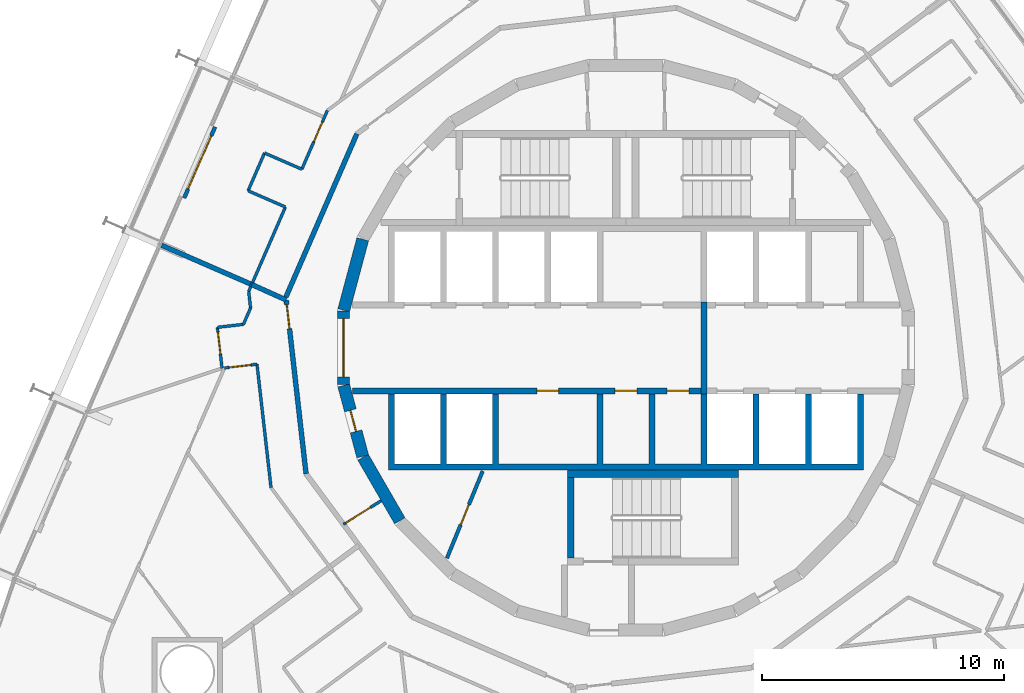
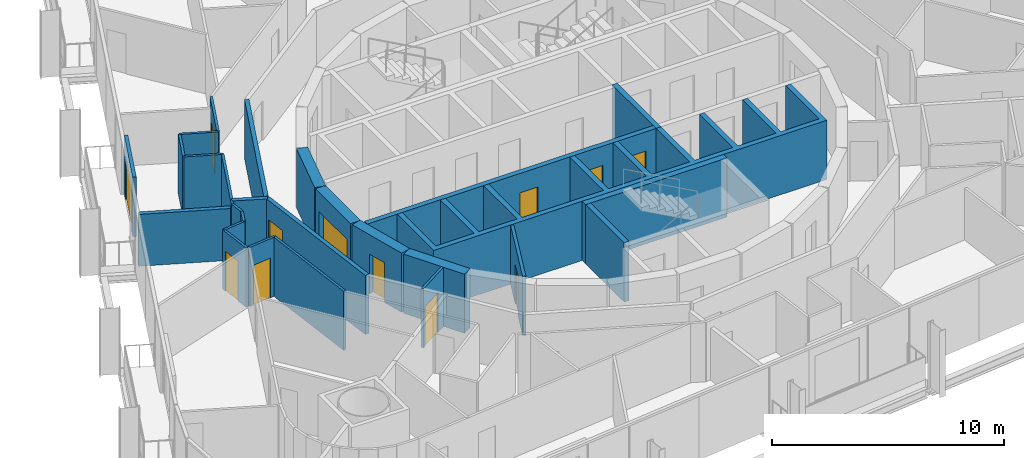
# One storey, part 15 of 22: 27 walls, 12 doors, 12 openings.
"""IFC4 building model written with IfcOpenShell, lengths in metres."""

from ifc_helpers import new_model, si_unit, direction, frame, frame_2d, origin, place, context, subcontext, project, spatial, polyline, rectangle, outline, extrude, material, layer, layer_set, type_object, element, fill, save


model = new_model("IFC4")

# Units and contexts
model_context = context("Model", 3, precision=1e-05, world=origin(), true_north=direction((0.0, 1.0)))
body_context = subcontext(model_context, "Body", "Model", "MODEL_VIEW")
ifc_project = project(units=[si_unit("LENGTHUNIT", "METRE"), si_unit("AREAUNIT", "SQUARE_METRE"), si_unit("VOLUMEUNIT", "CUBIC_METRE"), si_unit("PLANEANGLEUNIT", "RADIAN"), si_unit("MASSUNIT", "GRAM", prefix="KILO")], contexts=[model_context])

# Site, building, storey
site_placement = place(None, origin())
site = spatial("IfcSite", under=ifc_project, at=site_placement, CompositionType="ELEMENT")
building_placement = place(site_placement, origin())
building = spatial("IfcBuilding", under=site, at=building_placement, Name="Spindle Arch Residences", CompositionType="ELEMENT")
storey_placement = place(building_placement, frame((0.0, 0.0, 80.199951171875)))
storey = spatial("IfcBuildingStorey", under=building, at=storey_placement, Name="L18", CompositionType="ELEMENT", Elevation=80.199951171875)

# Wall
ifc_material_1 = material(Name="Concrete C50/60", Category="concrete")
ifc_layer_1 = layer(ifc_material_1, 0.5)
ifc_layer_set_1 = layer_set([ifc_layer_1], Name="Core outline wall 500")
wall_type_1 = type_object("IfcWallType", Name="Core outline wall 500", PredefinedType="SHEAR", material=ifc_layer_set_1)
wall_1_placement = place(storey_placement, frame((-10.858154296875, 4.479248046875, 0.0), z_axis=(0.0, 0.0, 1.0), x_axis=(-0.258734743916, -0.965948410781, 0.0)))
element("IfcWall", 1, at=wall_1_placement, inside=storey, type_object=wall_type_1, Name="Core outline wall 17", PredefinedType="SHEAR", context=body_context, shape_type="SweptSolid", body=[
    extrude(rectangle(XDim=3.03271484375, YDim=0.5, at=frame_2d((1.516357421875, 0.0))), origin(), (0.0, 0.0, 1.0), 3.1201171875),
])

# Wall, opening, door
wall_2_placement = place(storey_placement, frame((-11.647216796875, 1.516357421875, 0.0), z_axis=(0.0, 0.0, 1.0), x_axis=(0.0, -1.0, 0.0)))
wall_2 = element("IfcWall", 2, at=wall_2_placement, inside=storey, type_object=wall_type_1, Name="Core outline wall 18", PredefinedType="SHEAR", context=body_context, shape_type="SweptSolid", body=[
    extrude(rectangle(XDim=3.03271484375, YDim=0.5, at=frame_2d((1.516357421875, 0.0))), origin(), (0.0, 0.0, 1.0), 3.1201171875),
])
opening_1_placement = place(wall_2_placement, frame((0.31640625, 0.0, 0.0)))
opening_1 = element("IfcOpeningElement", 3, at=opening_1_placement, cuts=wall_2, Name="Opening R2A1-LE01", PredefinedType="OPENING", context=body_context, shape_type="SweptSolid", body=[
    extrude(rectangle(XDim=2.39990234375, YDim=2.10009765625, at=frame_2d((1.199951171875, 1.050048828125))), frame((0.0, 0.260009765625, 0.0), z_axis=(0.0, -1.0, 0.0), x_axis=(1.0, 0.0, 0.0)), (0.0, 0.0, 1.0), 0.52001953125),
])
ifc_material_2 = material(Name="Steel, fire-resisting door", Category="steel")
door_type_1 = type_object("IfcDoorType", Name="Lift lobby entrance door 2400x2100", OperationType="DOUBLE_DOOR_SINGLE_SWING", PredefinedType="DOOR", material=ifc_material_2)
door_1_placement = place(opening_1_placement, origin())
door_1 = element("IfcDoor", 4, at=door_1_placement, inside=storey, type_object=door_type_1, Name="Lift lobby entrance door R2A1-LE01", OperationType="DOUBLE_DOOR_SINGLE_SWING", OverallHeight=2.10009765625, OverallWidth=2.39990234375, PredefinedType="DOOR", context=body_context, shape_type="SweptSolid", body=[
    extrude(rectangle(XDim=2.39990234375, YDim=2.10009765625, at=frame_2d((1.199951171875, 1.050048828125))), frame((0.0, 0.02490234375, 0.0), z_axis=(0.0, -1.0, 0.0), x_axis=(1.0, 0.0, 0.0)), (0.0, 0.0, 1.0), 0.050048828125),
])
fill(opening_1, door_1)

wall_3_placement = place(storey_placement, frame((-11.642822265625, -1.5498046875, 0.0), z_axis=(0.0, 0.0, 1.0), x_axis=(0.258734743916, -0.965948410781, 0.0)))
wall_3 = element("IfcWall", 5, at=wall_3_placement, inside=storey, type_object=wall_type_1, Name="Core outline wall 19", PredefinedType="SHEAR", context=body_context, shape_type="SweptSolid", body=[
    extrude(rectangle(XDim=3.03271484375, YDim=0.5, at=frame_2d((1.516357421875, 0.0))), origin(), (0.0, 0.0, 1.0), 3.1201171875),
])
opening_2_placement = place(wall_3_placement, frame((1.06640625, 0.0, 0.0)))
opening_2 = element("IfcOpeningElement", 6, at=opening_2_placement, cuts=wall_3, Name="Opening R2A1-WD10", PredefinedType="OPENING", context=body_context, shape_type="SweptSolid", body=[
    extrude(rectangle(XDim=0.89990234375, YDim=2.10009765625, at=frame_2d((0.449951171875, 1.050048828125))), frame((0.0, 0.260009765625, 0.0), z_axis=(0.0, -1.0, 0.0), x_axis=(1.0, 0.0, 0.0)), (0.0, 0.0, 1.0), 0.52001953125),
])
ifc_material_3 = material(Name="Steel, fire-resisting door", Category="steel")
door_type_2 = type_object("IfcDoorType", Name="Service room door 900x2100", OperationType="SINGLE_SWING_LEFT", PredefinedType="DOOR", material=ifc_material_3)
door_2_placement = place(opening_2_placement, origin())
door_2 = element("IfcDoor", 7, at=door_2_placement, inside=storey, type_object=door_type_2, Name="Service room door R2A1-WD10", OperationType="SINGLE_SWING_LEFT", OverallHeight=2.10009765625, OverallWidth=0.89990234375, PredefinedType="DOOR", context=body_context, shape_type="SweptSolid", body=[
    extrude(rectangle(XDim=0.89990234375, YDim=2.10009765625, at=frame_2d((0.449951171875, 1.050048828125))), frame((0.0, 0.02490234375, 0.0), z_axis=(0.0, -1.0, 0.0), x_axis=(1.0, 0.0, 0.0)), (0.0, 0.0, 1.0), 0.050048828125),
])
fill(opening_2, door_2)

# Wall
wall_4_placement = place(storey_placement, frame((-10.84521484375, -4.510498046875, 0.0), z_axis=(0.0, 0.0, 1.0), x_axis=(0.500087131594, -0.865975092491, 0.0)))
element("IfcWall", 8, at=wall_4_placement, inside=storey, type_object=wall_type_1, Name="Core outline wall 20", PredefinedType="SHEAR", context=body_context, shape_type="SweptSolid", body=[
    extrude(rectangle(XDim=3.03271484375, YDim=0.5, at=frame_2d((1.516357421875, 0.0))), origin(), (0.0, 0.0, 1.0), 3.1201171875),
])

# Wall, opening, door
ifc_material_4 = material(Name="Plasterboard on steel studs", Category="steel")
ifc_layer_2 = layer(ifc_material_4, 0.1201171875)
ifc_layer_set_2 = layer_set([ifc_layer_2], Name="Corridor division wall 120")
wall_type_2 = type_object("IfcWallType", Name="Corridor division wall 120", PredefinedType="PARTITIONING", material=ifc_layer_set_2)
wall_5_placement = place(storey_placement, frame((-11.654296875, -7.2822265625, 0.0), z_axis=(0.0, 0.0, 1.0), x_axis=(0.848117698675, 0.529807860638, 0.0)))
wall_5 = element("IfcWall", 9, at=wall_5_placement, inside=storey, type_object=wall_type_2, Name="Corridor division wall R2A1-W003", PredefinedType="PARTITIONING", context=body_context, shape_type="SweptSolid", body=[
    extrude(rectangle(XDim=1.837646484375, YDim=0.1201171875, at=frame_2d((0.9189453125, 0.0))), origin(), (0.0, 0.0, 1.0), 3.1201171875),
])
opening_3_placement = place(wall_5_placement, frame((0.114990234375, 0.0, 0.0)))
opening_3 = element("IfcOpeningElement", 10, at=opening_3_placement, cuts=wall_5, Name="Opening R2A1-CD03", PredefinedType="OPENING", context=body_context, shape_type="SweptSolid", body=[
    extrude(rectangle(XDim=1.199951171875, YDim=2.10009765625, at=frame_2d((0.60009765625, 1.050048828125))), frame((0.0, 0.070068359375, 0.0), z_axis=(0.0, -1.0, 0.0), x_axis=(1.0, 0.0, 0.0)), (0.0, 0.0, 1.0), 0.14013671875),
])
ifc_material_5 = material(Name="Steel, fire-resisting door", Category="steel")
door_type_3 = type_object("IfcDoorType", Name="Corridor division door 1200x2100", OperationType="NOTDEFINED", PredefinedType="DOOR", material=ifc_material_5)
door_3_placement = place(opening_3_placement, origin())
door_3 = element("IfcDoor", 11, at=door_3_placement, inside=storey, type_object=door_type_3, Name="Corridor division door R2A1-CD03", OperationType="DOUBLE_DOOR_SINGLE_SWING", OverallHeight=2.10009765625, OverallWidth=1.199951171875, PredefinedType="DOOR", context=body_context, shape_type="SweptSolid", body=[
    extrude(rectangle(XDim=1.199951171875, YDim=2.10009765625, at=frame_2d((0.60009765625, 1.050048828125))), frame((0.0, 0.02490234375, 0.0), z_axis=(0.0, -1.0, 0.0), x_axis=(1.0, 0.0, 0.0)), (0.0, 0.0, 1.0), 0.050048828125),
])
fill(opening_3, door_3)

# Wall
ifc_material_6 = material(Name="Calcium silicate block, plastered")
ifc_layer_3 = layer(ifc_material_6, 0.199951171875)
ifc_layer_set_3 = layer_set([ifc_layer_3], Name="Corridor wall 200")
wall_type_3 = type_object("IfcWallType", Name="Corridor wall 200", PredefinedType="STANDARD", material=ifc_layer_set_3)
wall_6_placement = place(storey_placement, frame((-11.10009765625, 8.829345703125, 0.0), z_axis=(0.0, 0.0, 1.0), x_axis=(-0.398741918631, -0.917063183388, 0.0)))
element("IfcWall", 12, at=wall_6_placement, inside=storey, type_object=wall_type_3, Name="Corridor wall R2A1-W010", PredefinedType="STANDARD", context=body_context, shape_type="SweptSolid", body=[
    extrude(rectangle(XDim=7.341796875, YDim=0.199951171875, at=frame_2d((3.6708984375, 0.0))), origin(), (0.0, 0.0, 1.0), 3.1201171875),
])

# Wall, opening, door
wall_7_placement = place(storey_placement, frame((-14.013427734375, 1.97412109375, 0.0), z_axis=(0.0, 0.0, 1.0), x_axis=(0.113196526349, -0.993572617589, 0.0)))
wall_7 = element("IfcWall", 13, at=wall_7_placement, inside=storey, type_object=wall_type_3, Name="Corridor wall R2A1-W011", PredefinedType="STANDARD", context=body_context, shape_type="SweptSolid", body=[
    extrude(rectangle(XDim=7.21875, YDim=0.199951171875, at=frame_2d((3.609375, 0.0))), origin(), (0.0, 0.0, 1.0), 3.1201171875),
])
opening_4_placement = place(wall_7_placement, frame((0.199951171875, 0.0, 0.0)))
opening_4 = element("IfcOpeningElement", 14, at=opening_4_placement, cuts=wall_7, Name="Opening R2A1-FD04", PredefinedType="OPENING", context=body_context, shape_type="SweptSolid", body=[
    extrude(rectangle(XDim=1.0, YDim=2.10009765625, at=frame_2d((0.5, 1.050048828125))), frame((0.0, 0.10986328125, 0.0), z_axis=(0.0, -1.0, 0.0), x_axis=(1.0, 0.0, 0.0)), (0.0, 0.0, 1.0), 0.219970703125),
])
ifc_material_7 = material(Name="Timber, fire-resisting door set", Category="wood")
door_type_4 = type_object("IfcDoorType", Name="Flat entrance door 1000x2100", OperationType="NOTDEFINED", PredefinedType="DOOR", material=ifc_material_7)
door_4_placement = place(opening_4_placement, origin())
door_4 = element("IfcDoor", 15, at=door_4_placement, inside=storey, type_object=door_type_4, Name="Flat entrance door R2A1-FD04", OperationType="SINGLE_SWING_RIGHT", OverallHeight=2.10009765625, OverallWidth=1.0, PredefinedType="DOOR", context=body_context, shape_type="SweptSolid", body=[
    extrude(rectangle(XDim=1.0, YDim=2.10009765625, at=frame_2d((0.5, 1.050048828125))), frame((0.0, 0.02490234375, 0.0), z_axis=(0.0, -1.0, 0.0), x_axis=(1.0, 0.0, 0.0)), (0.0, 0.0, 1.0), 0.050048828125),
])
fill(opening_4, door_4)

# Wall
ifc_material_8 = material(Name="Concrete C40/50", Category="concrete")
ifc_layer_4 = layer(ifc_material_8, 0.25)
ifc_layer_set_4 = layer_set([ifc_layer_4], Name="Fire-lift lobby wall 250")
wall_type_4 = type_object("IfcWallType", Name="Fire-lift lobby wall 250", PredefinedType="SHEAR", material=ifc_layer_set_4)
wall_8_placement = place(storey_placement, frame((3.22509765625, -1.89990234375, 0.0), z_axis=(0.0, 0.0, 1.0), x_axis=(0.0, 1.0, 0.0)))
element("IfcWall", 16, at=wall_8_placement, inside=storey, type_object=wall_type_4, Name="Fire-fighting lobby partition", PredefinedType="SHEAR", context=body_context, shape_type="SweptSolid", body=[
    extrude(rectangle(XDim=3.7998046875, YDim=0.25, at=frame_2d((1.89990234375, 0.0))), origin(), (0.0, 0.0, 1.0), 3.1201171875),
])

# Wall, opening, door
ifc_material_9 = material(Name="Plasterboard on steel studs", Category="steel")
ifc_layer_5 = layer(ifc_material_9, 0.1201171875)
ifc_layer_set_5 = layer_set([ifc_layer_5], Name="Flat partition 120")
wall_type_5 = type_object("IfcWallType", Name="Flat partition 120", PredefinedType="PARTITIONING", material=ifc_layer_set_5)
wall_9_placement = place(storey_placement, frame((-12.315185546875, 9.7958984375, 0.0), z_axis=(0.0, 0.0, 1.0), x_axis=(-0.398790200406, -0.917042188812, 0.0)))
wall_9 = element("IfcWall", 17, at=wall_9_placement, inside=storey, type_object=wall_type_5, Name="Flat partition R2A1-W068", PredefinedType="PARTITIONING", context=body_context, shape_type="SweptSolid", body=[
    extrude(rectangle(XDim=2.646484375, YDim=0.1201171875, at=frame_2d((1.3232421875, 0.0))), origin(), (0.0, 0.0, 1.0), 3.1201171875),
])
opening_5_placement = place(wall_9_placement, frame((0.513427734375, 0.0, 0.0)))
opening_5 = element("IfcOpeningElement", 18, at=opening_5_placement, cuts=wall_9, Name="Opening R2A1-ID13", PredefinedType="OPENING", context=body_context, shape_type="SweptSolid", body=[
    extrude(rectangle(XDim=0.89990234375, YDim=2.10009765625, at=frame_2d((0.449951171875, 1.050048828125))), frame((0.0, 0.070068359375, 0.0), z_axis=(0.0, -1.0, 0.0), x_axis=(1.0, 0.0, 0.0)), (0.0, 0.0, 1.0), 0.14013671875),
])
ifc_material_10 = material(Name="Timber door set", Category="wood")
door_type_5 = type_object("IfcDoorType", Name="Room door 900x2100", OperationType="NOTDEFINED", PredefinedType="DOOR", material=ifc_material_10)
door_5_placement = place(opening_5_placement, origin())
door_5 = element("IfcDoor", 19, at=door_5_placement, inside=storey, type_object=door_type_5, Name="Room door R2A1-ID13", OperationType="SINGLE_SWING_LEFT", OverallHeight=2.10009765625, OverallWidth=0.89990234375, PredefinedType="DOOR", context=body_context, shape_type="SweptSolid", body=[
    extrude(rectangle(XDim=0.89990234375, YDim=2.10009765625, at=frame_2d((0.449951171875, 1.050048828125))), frame((0.0, 0.02490234375, 0.0), z_axis=(0.0, -1.0, 0.0), x_axis=(1.0, 0.0, 0.0)), (0.0, 0.0, 1.0), 0.050048828125),
])
fill(opening_5, door_5)

# Walls
wall_10_placement = place(storey_placement, frame((-13.37060546875, 7.368896484375, 0.0), z_axis=(0.0, 0.0, 1.0), x_axis=(-0.917109358393, 0.398635704306, 0.0)))
element("IfcWall", 20, at=wall_10_placement, inside=storey, type_object=wall_type_5, Name="Flat partition R2A1-W069", PredefinedType="PARTITIONING", context=body_context, shape_type="SweptSolid", body=[
    extrude(rectangle(XDim=1.6787109375, YDim=0.1201171875, at=frame_2d((0.83935546875, 0.0))), origin(), (0.0, 0.0, 1.0), 3.1201171875),
])
wall_11_placement = place(storey_placement, frame((-14.91015625, 8.0380859375, 0.0), z_axis=(0.0, 0.0, 1.0), x_axis=(-0.398715607479, -0.91707462311, 0.0)))
element("IfcWall", 21, at=wall_11_placement, inside=storey, type_object=wall_type_5, Name="Flat partition R2A1-W070", PredefinedType="PARTITIONING", context=body_context, shape_type="SweptSolid", body=[
    extrude(rectangle(XDim=1.69970703125, YDim=0.1201171875, at=frame_2d((0.849853515625, 0.0))), origin(), (0.0, 0.0, 1.0), 3.1201171875),
])
wall_12_placement = place(storey_placement, frame((-15.587890625, 6.479248046875, 0.0), z_axis=(0.0, 0.0, 1.0), x_axis=(0.917033055073, -0.398811203332, 0.0)))
element("IfcWall", 22, at=wall_12_placement, inside=storey, type_object=wall_type_5, Name="Flat partition R2A1-W071", PredefinedType="PARTITIONING", context=body_context, shape_type="SweptSolid", body=[
    extrude(rectangle(XDim=1.678466796875, YDim=0.1201171875, at=frame_2d((0.83935546875, 0.0))), origin(), (0.0, 0.0, 1.0), 3.1201171875),
])
wall_13_placement = place(storey_placement, frame((-14.048583984375, 5.809814453125, 0.0), z_axis=(0.0, 0.0, 1.0), x_axis=(-0.398707311688, -0.917078229818, 0.0)))
element("IfcWall", 23, at=wall_13_placement, inside=storey, type_object=wall_type_5, Name="Flat partition R2A1-W072", PredefinedType="PARTITIONING", context=body_context, shape_type="SweptSolid", body=[
    extrude(rectangle(XDim=3.798828125, YDim=0.1201171875, at=frame_2d((1.8994140625, 0.0))), origin(), (0.0, 0.0, 1.0), 3.1201171875),
])
wall_14_placement = place(storey_placement, frame((-15.563232421875, 2.325927734375, 0.0), z_axis=(0.0, 0.0, 1.0), x_axis=(0.113013677091, -0.993593432341, 0.0)))
element("IfcWall", 24, at=wall_14_placement, inside=storey, type_object=wall_type_5, Name="Flat partition R2A1-W083", PredefinedType="PARTITIONING", context=body_context, shape_type="SweptSolid", body=[
    extrude(rectangle(XDim=0.684814453125, YDim=0.1201171875, at=frame_2d((0.34228515625, 0.0))), origin(), (0.0, 0.0, 1.0), 3.1201171875),
])
wall_15_placement = place(storey_placement, frame((-15.48583984375, 1.6455078125, 0.0), z_axis=(0.0, 0.0, 1.0), x_axis=(-0.398701933952, -0.917080567814, 0.0)))
element("IfcWall", 25, at=wall_15_placement, inside=storey, type_object=wall_type_5, Name="Flat partition R2A1-W084", PredefinedType="PARTITIONING", context=body_context, shape_type="SweptSolid", body=[
    extrude(rectangle(XDim=0.738525390625, YDim=0.1201171875, at=frame_2d((0.369140625, 0.0))), origin(), (0.0, 0.0, 1.0), 3.1201171875),
])
wall_16_placement = place(storey_placement, frame((-15.7802734375, 0.96826171875, 0.0), z_axis=(0.0, 0.0, 1.0), x_axis=(-0.99355448905, -0.113355534887, 0.0)))
element("IfcWall", 26, at=wall_16_placement, inside=storey, type_object=wall_type_5, Name="Flat partition R2A1-W085", PredefinedType="PARTITIONING", context=body_context, shape_type="SweptSolid", body=[
    extrude(rectangle(XDim=1.081298828125, YDim=0.1201171875, at=frame_2d((0.54052734375, 0.0))), origin(), (0.0, 0.0, 1.0), 3.1201171875),
])

# Wall, opening, door
wall_17_placement = place(storey_placement, frame((-16.8544921875, 0.845703125, 0.0), z_axis=(0.0, 0.0, 1.0), x_axis=(0.113173930474, -0.993575191649, 0.0)))
wall_17 = element("IfcWall", 27, at=wall_17_placement, inside=storey, type_object=wall_type_5, Name="Flat partition R2A1-W086", PredefinedType="PARTITIONING", context=body_context, shape_type="SweptSolid", body=[
    extrude(rectangle(XDim=1.699951171875, YDim=0.1201171875, at=frame_2d((0.85009765625, 0.0))), origin(), (0.0, 0.0, 1.0), 3.1201171875),
])
opening_6_placement = place(wall_17_placement, frame((0.199951171875, 0.0, 0.0)))
opening_6 = element("IfcOpeningElement", 28, at=opening_6_placement, cuts=wall_17, Name="Opening R2A1-ID18", PredefinedType="OPENING", context=body_context, shape_type="SweptSolid", body=[
    extrude(rectangle(XDim=0.89990234375, YDim=2.10009765625, at=frame_2d((0.449951171875, 1.050048828125))), frame((0.0, 0.070068359375, 0.0), z_axis=(0.0, -1.0, 0.0), x_axis=(1.0, 0.0, 0.0)), (0.0, 0.0, 1.0), 0.14013671875),
])
door_6_placement = place(opening_6_placement, origin())
door_6 = element("IfcDoor", 29, at=door_6_placement, inside=storey, type_object=door_type_5, Name="Room door R2A1-ID18", OperationType="SINGLE_SWING_RIGHT", OverallHeight=2.10009765625, OverallWidth=0.89990234375, PredefinedType="DOOR", context=body_context, shape_type="SweptSolid", body=[
    extrude(rectangle(XDim=0.89990234375, YDim=2.10009765625, at=frame_2d((0.449951171875, 1.050048828125))), frame((0.0, 0.02490234375, 0.0), z_axis=(0.0, -1.0, 0.0), x_axis=(1.0, 0.0, 0.0)), (0.0, 0.0, 1.0), 0.050048828125),
])
fill(opening_6, door_6)

wall_18_placement = place(storey_placement, frame((-16.56298828125, -0.831787109375, 0.0), z_axis=(0.0, 0.0, 1.0), x_axis=(0.993578035261, 0.113148963084, 0.0)))
wall_18 = element("IfcWall", 30, at=wall_18_placement, inside=storey, type_object=wall_type_5, Name="Flat partition R2A1-W087", PredefinedType="PARTITIONING", context=body_context, shape_type="SweptSolid", body=[
    extrude(rectangle(XDim=1.350830078125, YDim=0.1201171875, at=frame_2d((0.67529296875, 0.0))), origin(), (0.0, 0.0, 1.0), 3.1201171875),
])
opening_7_placement = place(wall_18_placement, frame((0.199951171875, 0.0, 0.0)))
opening_7 = element("IfcOpeningElement", 31, at=opening_7_placement, cuts=wall_18, Name="Opening R2A1-ID19", PredefinedType="OPENING", context=body_context, shape_type="SweptSolid", body=[
    extrude(rectangle(XDim=0.89990234375, YDim=2.10009765625, at=frame_2d((0.449951171875, 1.050048828125))), frame((0.0, 0.070068359375, 0.0), z_axis=(0.0, -1.0, 0.0), x_axis=(1.0, 0.0, 0.0)), (0.0, 0.0, 1.0), 0.14013671875),
])
door_7_placement = place(opening_7_placement, origin())
door_7 = element("IfcDoor", 32, at=door_7_placement, inside=storey, type_object=door_type_5, Name="Room door R2A1-ID19", OperationType="SINGLE_SWING_LEFT", OverallHeight=2.10009765625, OverallWidth=0.89990234375, PredefinedType="DOOR", context=body_context, shape_type="SweptSolid", body=[
    extrude(rectangle(XDim=0.89990234375, YDim=2.10009765625, at=frame_2d((0.449951171875, 1.050048828125))), frame((0.0, 0.02490234375, 0.0), z_axis=(0.0, -1.0, 0.0), x_axis=(1.0, 0.0, 0.0)), (0.0, 0.0, 1.0), 0.050048828125),
])
fill(opening_7, door_7)

# Walls
wall_19_placement = place(storey_placement, frame((-15.220947265625, -0.678955078125, 0.0), z_axis=(0.0, 0.0, 1.0), x_axis=(0.113219875647, -0.993569957154, 0.0)))
element("IfcWall", 33, at=wall_19_placement, inside=storey, type_object=wall_type_5, Name="Flat partition R2A1-W088", PredefinedType="PARTITIONING", context=body_context, shape_type="SweptSolid", body=[
    extrude(rectangle(XDim=5.121337890625, YDim=0.1201171875, at=frame_2d((2.560546875, 0.0))), origin(), (0.0, 0.0, 1.0), 3.1201171875),
])
ifc_material_11 = material(Name="Calcium silicate block, plastered")
ifc_layer_6 = layer(ifc_material_11, 0.199951171875)
ifc_layer_set_6 = layer_set([ifc_layer_6], Name="Flat party wall 200")
wall_type_6 = type_object("IfcWallType", Name="Flat party wall 200", PredefinedType="STANDARD", material=ifc_layer_set_6)
wall_20_placement = place(storey_placement, frame((-15.438720703125, 2.612548828125, 0.0), z_axis=(0.0, 0.0, 1.0), x_axis=(0.911830308819, -0.410567275752, 0.0)))
element("IfcWall", 34, at=wall_20_placement, inside=storey, type_object=wall_type_6, Name="Flat party wall R2A1-W022", PredefinedType="STANDARD", context=body_context, shape_type="SweptSolid", body=[
    extrude(rectangle(XDim=1.55322265625, YDim=0.199951171875, at=frame_2d((0.776611328125, 0.0))), origin(), (0.0, 0.0, 1.0), 3.1201171875),
])
ifc_material_12 = material(Name="Calcium silicate block, plastered")
ifc_layer_7 = layer(ifc_material_12, 0.199951171875)
ifc_layer_set_7 = layer_set([ifc_layer_7], Name="Flat party wall 200 under beam 2730")
wall_type_7 = type_object("IfcWallType", Name="Flat party wall 200 under beam 2730", PredefinedType="STANDARD", material=ifc_layer_set_7)
wall_21_placement = place(storey_placement, frame((-19.1591796875, 4.231201171875, 0.0), z_axis=(0.0, 0.0, 1.0), x_axis=(0.91704996524, -0.398772317562, 0.0)))
element("IfcWall", 35, at=wall_21_placement, inside=storey, type_object=wall_type_7, Name="Flat party wall R2A1-W023", PredefinedType="STANDARD", context=body_context, shape_type="SweptSolid", body=[
    extrude(rectangle(XDim=4.057373046875, YDim=0.199951171875, at=frame_2d((2.02880859375, 0.0))), origin(), (0.0, 0.0, 1.0), 2.72998046875),
])

# Wall, opening, door
ifc_material_13 = material(Name="Non-combustible mineral wool insulated aluminium faced external wall (K0)", Category="aluminium")
ifc_layer_8 = layer(ifc_material_13, 0.159912109375)
ifc_layer_set_8 = layer_set([ifc_layer_8], Name="Insulated external wall panel 160")
wall_type_8 = type_object("IfcWallType", Name="Insulated external wall panel 160", PredefinedType="STANDARD", material=ifc_layer_set_8)
wall_22_placement = place(storey_placement, frame((-16.948974609375, 9.1142578125, 0.0), z_axis=(0.0, 0.0, 1.0), x_axis=(-0.398720531764, -0.917072482168, 0.0)))
wall_22 = element("IfcWall", 36, at=wall_22_placement, inside=storey, type_object=wall_type_8, Name="External wall L18 bay 16", PredefinedType="STANDARD", context=body_context, shape_type="SweptSolid", body=[
    extrude(rectangle(XDim=3.199951171875, YDim=0.159912109375, at=frame_2d((1.60009765625, 0.0))), origin(), (0.0, 0.0, 1.0), 3.1201171875),
])
opening_8_placement = place(wall_22_placement, frame((0.39990234375, 0.0, 0.0)))
opening_8 = element("IfcOpeningElement", 37, at=opening_8_placement, cuts=wall_22, Name="Opening BD16", PredefinedType="OPENING", context=body_context, shape_type="SweptSolid", body=[
    extrude(rectangle(XDim=2.39990234375, YDim=2.39990234375, at=frame_2d((1.199951171875, 1.199951171875))), frame((0.0, 0.08984375, 0.0), z_axis=(0.0, -1.0, 0.0), x_axis=(1.0, 0.0, 0.0)), (0.0, 0.0, 1.0), 0.179931640625),
])
ifc_material_14 = material(Name="Bronze aluminium frame, tinted double glazing", Category="aluminium")
door_type_6 = type_object("IfcDoorType", Name="Sliding glazed balcony door 2400x2400", OperationType="DOUBLE_DOOR_SLIDING", PredefinedType="DOOR", material=ifc_material_14)
door_8_placement = place(opening_8_placement, origin())
door_8 = element("IfcDoor", 38, at=door_8_placement, inside=storey, type_object=door_type_6, Name="Balcony door BD16", OperationType="DOUBLE_DOOR_SLIDING", OverallHeight=2.39990234375, OverallWidth=2.39990234375, PredefinedType="DOOR", context=body_context, shape_type="SweptSolid", body=[
    extrude(rectangle(XDim=2.39990234375, YDim=2.39990234375, at=frame_2d((1.199951171875, 1.199951171875))), frame((0.0, 0.02490234375, 0.0), z_axis=(0.0, -1.0, 0.0), x_axis=(1.0, 0.0, 0.0)), (0.0, 0.0, 1.0), 0.050048828125),
])
fill(opening_8, door_8)

# Wall, openings, doors
ifc_material_15 = material(Name="Concrete C50/60", Category="concrete")
ifc_layer_9 = layer(ifc_material_15, 0.25)
ifc_layer_set_9 = layer_set([ifc_layer_9], Name="Lift shaft wall 250")
wall_type_9 = type_object("IfcWallType", Name="Lift shaft wall 250", PredefinedType="SHEAR", material=ifc_layer_set_9)
wall_23_placement = place(storey_placement, frame((-11.280029296875, -1.77490234375, 0.0), z_axis=(0.0, 0.0, 1.0), x_axis=(1.0, 0.0, 0.0)))
wall_23 = element("IfcWall", 39, at=wall_23_placement, inside=storey, type_object=wall_type_9, Name="Lift shaft front wall SW", PredefinedType="SHEAR", context=body_context, shape_type="SweptSolid", body=[
    extrude(rectangle(XDim=14.380126953125, YDim=0.25, at=frame_2d((7.18994140625, 0.0))), origin(), (0.0, 0.0, 1.0), 3.1201171875),
])
opening_9_placement = place(wall_23_placement, frame((7.60498046875, 0.0, 0.0)))
opening_9 = element("IfcOpeningElement", 40, at=opening_9_placement, cuts=wall_23, Name="Opening R2A1-WD03", PredefinedType="OPENING", context=body_context, shape_type="SweptSolid", body=[
    extrude(rectangle(XDim=0.89990234375, YDim=2.10009765625, at=frame_2d((0.449951171875, 1.050048828125))), frame((0.0, 0.135009765625, 0.0), z_axis=(0.0, -1.0, 0.0), x_axis=(1.0, 0.0, 0.0)), (0.0, 0.0, 1.0), 0.27001953125),
])
opening_10_placement = place(wall_23_placement, frame((10.830078125, 0.0, 0.0)))
opening_10 = element("IfcOpeningElement", 41, at=opening_10_placement, cuts=wall_23, Name="Opening R2A1-WD04", PredefinedType="OPENING", context=body_context, shape_type="SweptSolid", body=[
    extrude(rectangle(XDim=0.89990234375, YDim=2.10009765625, at=frame_2d((0.449951171875, 1.050048828125))), frame((0.0, 0.135009765625, 0.0), z_axis=(0.0, -1.0, 0.0), x_axis=(1.0, 0.0, 0.0)), (0.0, 0.0, 1.0), 0.27001953125),
])
opening_11_placement = place(wall_23_placement, frame((12.97998046875, 0.0, 0.0)))
opening_11 = element("IfcOpeningElement", 42, at=opening_11_placement, cuts=wall_23, Name="Opening R2A1-WD05", PredefinedType="OPENING", context=body_context, shape_type="SweptSolid", body=[
    extrude(rectangle(XDim=0.89990234375, YDim=2.10009765625, at=frame_2d((0.449951171875, 1.050048828125))), frame((0.0, 0.135009765625, 0.0), z_axis=(0.0, -1.0, 0.0), x_axis=(1.0, 0.0, 0.0)), (0.0, 0.0, 1.0), 0.27001953125),
])
door_9_placement = place(opening_9_placement, origin())
door_9 = element("IfcDoor", 43, at=door_9_placement, inside=storey, type_object=door_type_2, Name="Service room door R2A1-WD03", OperationType="SINGLE_SWING_RIGHT", OverallHeight=2.10009765625, OverallWidth=0.89990234375, PredefinedType="DOOR", context=body_context, shape_type="SweptSolid", body=[
    extrude(rectangle(XDim=0.89990234375, YDim=2.10009765625, at=frame_2d((0.449951171875, 1.050048828125))), frame((0.0, 0.02490234375, 0.0), z_axis=(0.0, -1.0, 0.0), x_axis=(1.0, 0.0, 0.0)), (0.0, 0.0, 1.0), 0.050048828125),
])
fill(opening_9, door_9)
door_10_placement = place(opening_10_placement, origin())
door_10 = element("IfcDoor", 44, at=door_10_placement, inside=storey, type_object=door_type_2, Name="Service room door R2A1-WD04", OperationType="SINGLE_SWING_LEFT", OverallHeight=2.10009765625, OverallWidth=0.89990234375, PredefinedType="DOOR", context=body_context, shape_type="SweptSolid", body=[
    extrude(rectangle(XDim=0.89990234375, YDim=2.10009765625, at=frame_2d((0.449951171875, 1.050048828125))), frame((0.0, 0.02490234375, 0.0), z_axis=(0.0, -1.0, 0.0), x_axis=(1.0, 0.0, 0.0)), (0.0, 0.0, 1.0), 0.050048828125),
])
fill(opening_10, door_10)
door_11_placement = place(opening_11_placement, origin())
door_11 = element("IfcDoor", 45, at=door_11_placement, inside=storey, type_object=door_type_2, Name="Service room door R2A1-WD05", OperationType="SINGLE_SWING_RIGHT", OverallHeight=2.10009765625, OverallWidth=0.89990234375, PredefinedType="DOOR", context=body_context, shape_type="SweptSolid", body=[
    extrude(rectangle(XDim=0.89990234375, YDim=2.10009765625, at=frame_2d((0.449951171875, 1.050048828125))), frame((0.0, 0.02490234375, 0.0), z_axis=(0.0, -1.0, 0.0), x_axis=(1.0, 0.0, 0.0)), (0.0, 0.0, 1.0), 0.050048828125),
])
fill(opening_11, door_11)

# Wall
ifc_material_16 = material(Name="Concrete C50/60", Category="concrete")
wall_type_10 = type_object("IfcWallType", Name="Lift shaft wall profile", PredefinedType="SHEAR", material=ifc_material_16)
wall_24_placement = place(storey_placement, origin())
element("IfcWall", 46, at=wall_24_placement, inside=storey, type_object=wall_type_10, Name="Lift shaft walls S", PredefinedType="SHEAR", context=body_context, shape_type="SweptSolid", body=[
    extrude(outline(polyline([(9.800048828125, -5.050048828125), (9.800048828125, -4.800048828125), (9.800048828125, -1.89990234375), (9.550048828125, -1.89990234375), (9.550048828125, -4.800048828125), (7.64990234375, -4.800048828125), (7.64990234375, -1.89990234375), (7.39990234375, -1.89990234375), (7.39990234375, -4.800048828125), (5.5, -4.800048828125), (5.5, -1.89990234375), (5.25, -1.89990234375), (5.25, -4.800048828125), (3.35009765625, -4.800048828125), (3.35009765625, -1.89990234375), (3.10009765625, -1.89990234375), (3.10009765625, -4.800048828125), (1.199951171875, -4.800048828125), (1.199951171875, -1.89990234375), (0.949951171875, -1.89990234375), (0.949951171875, -4.800048828125), (-0.949951171875, -4.800048828125), (-0.949951171875, -1.89990234375), (-1.199951171875, -1.89990234375), (-1.199951171875, -4.800048828125), (-5.25, -4.800048828125), (-5.25, -1.89990234375), (-5.5, -1.89990234375), (-5.5, -4.800048828125), (-7.39990234375, -4.800048828125), (-7.39990234375, -1.89990234375), (-7.64990234375, -1.89990234375), (-7.64990234375, -4.800048828125), (-9.550048828125, -4.800048828125), (-9.550048828125, -1.89990234375), (-9.800048828125, -1.89990234375), (-9.800048828125, -4.800048828125), (-9.800048828125, -5.050048828125), (9.800048828125, -5.050048828125)])), origin(), (0.0, 0.0, 1.0), 3.1201171875),
])

# Wall, opening, door
ifc_material_17 = material(Name="Concrete C25/30", Category="concrete")
ifc_layer_10 = layer(ifc_material_17, 0.14990234375)
ifc_layer_set_10 = layer_set([ifc_layer_10], Name="Service room partition 150")
wall_type_11 = type_object("IfcWallType", Name="Service room partition 150", PredefinedType="PARTITIONING", material=ifc_layer_set_10)
wall_25_placement = place(storey_placement, frame((-7.385009765625, -8.680908203125, 0.0), z_axis=(0.0, 0.0, 1.0), x_axis=(0.379804590409, 0.925066739811, 0.0)))
wall_25 = element("IfcWall", 47, at=wall_25_placement, inside=storey, type_object=wall_type_11, Name="Core service room partition", PredefinedType="PARTITIONING", context=body_context, shape_type="SweptSolid", body=[
    extrude(rectangle(XDim=3.885009765625, YDim=0.14990234375, at=frame_2d((1.9423828125, 0.0))), origin(), (0.0, 0.0, 1.0), 3.1201171875),
])
opening_12_placement = place(wall_25_placement, frame((1.49267578125, 0.0, 0.0)))
opening_12 = element("IfcOpeningElement", 48, at=opening_12_placement, cuts=wall_25, Name="Opening R2A1-WD06", PredefinedType="OPENING", context=body_context, shape_type="SweptSolid", body=[
    extrude(rectangle(XDim=0.89990234375, YDim=2.10009765625, at=frame_2d((0.449951171875, 1.050048828125))), frame((0.0, 0.0849609375, 0.0), z_axis=(0.0, -1.0, 0.0), x_axis=(1.0, 0.0, 0.0)), (0.0, 0.0, 1.0), 0.169921875),
])
door_12_placement = place(opening_12_placement, origin())
door_12 = element("IfcDoor", 49, at=door_12_placement, inside=storey, type_object=door_type_2, Name="Service room door R2A1-WD06", OperationType="SINGLE_SWING_LEFT", OverallHeight=2.10009765625, OverallWidth=0.89990234375, PredefinedType="DOOR", context=body_context, shape_type="SweptSolid", body=[
    extrude(rectangle(XDim=0.89990234375, YDim=2.10009765625, at=frame_2d((0.449951171875, 1.050048828125))), frame((0.0, 0.02490234375, 0.0), z_axis=(0.0, -1.0, 0.0), x_axis=(1.0, 0.0, 0.0)), (0.0, 0.0, 1.0), 0.050048828125),
])
fill(opening_12, door_12)

# Walls
ifc_material_18 = material(Name="Concrete C50/60", Category="concrete")
ifc_layer_11 = layer(ifc_material_18, 0.25)
ifc_layer_set_11 = layer_set([ifc_layer_11], Name="Stair enclosure wall 250")
wall_type_12 = type_object("IfcWallType", Name="Stair enclosure wall 250", PredefinedType="SHEAR", material=ifc_layer_set_11)
wall_26_placement = place(storey_placement, frame((-2.27490234375, -8.669921875, 0.0), z_axis=(0.0, 0.0, 1.0), x_axis=(0.0, 1.0, 0.0)))
element("IfcWall", 50, at=wall_26_placement, inside=storey, type_object=wall_type_12, Name="Stair ST-3 enclosure wall W", PredefinedType="SHEAR", context=body_context, shape_type="SweptSolid", body=[
    extrude(rectangle(XDim=3.31982421875, YDim=0.25, at=frame_2d((1.659912109375, 0.0))), origin(), (0.0, 0.0, 1.0), 3.1201171875),
])
ifc_material_19 = material(Name="Concrete C50/60", Category="concrete")
ifc_layer_12 = layer(ifc_material_19, 0.300048828125)
ifc_layer_set_12 = layer_set([ifc_layer_12], Name="Stair enclosure wall 300")
wall_type_13 = type_object("IfcWallType", Name="Stair enclosure wall 300", PredefinedType="SHEAR", material=ifc_layer_set_12)
wall_27_placement = place(storey_placement, frame((-2.39990234375, -5.199951171875, 0.0), z_axis=(0.0, 0.0, 1.0), x_axis=(1.0, 0.0, 0.0)))
element("IfcWall", 51, at=wall_27_placement, inside=storey, type_object=wall_type_13, Name="Stair ST-3 enclosure wall N", PredefinedType="SHEAR", context=body_context, shape_type="SweptSolid", body=[
    extrude(rectangle(XDim=7.0498046875, YDim=0.300048828125, at=frame_2d((3.52490234375, 0.0))), origin(), (0.0, 0.0, 1.0), 3.1201171875),
])

save(model, "model.ifc")
